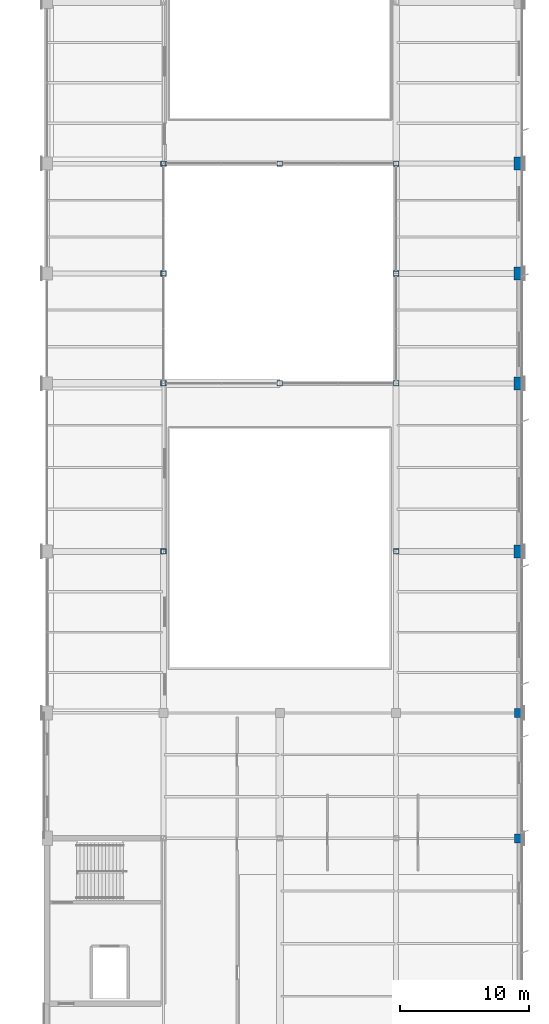
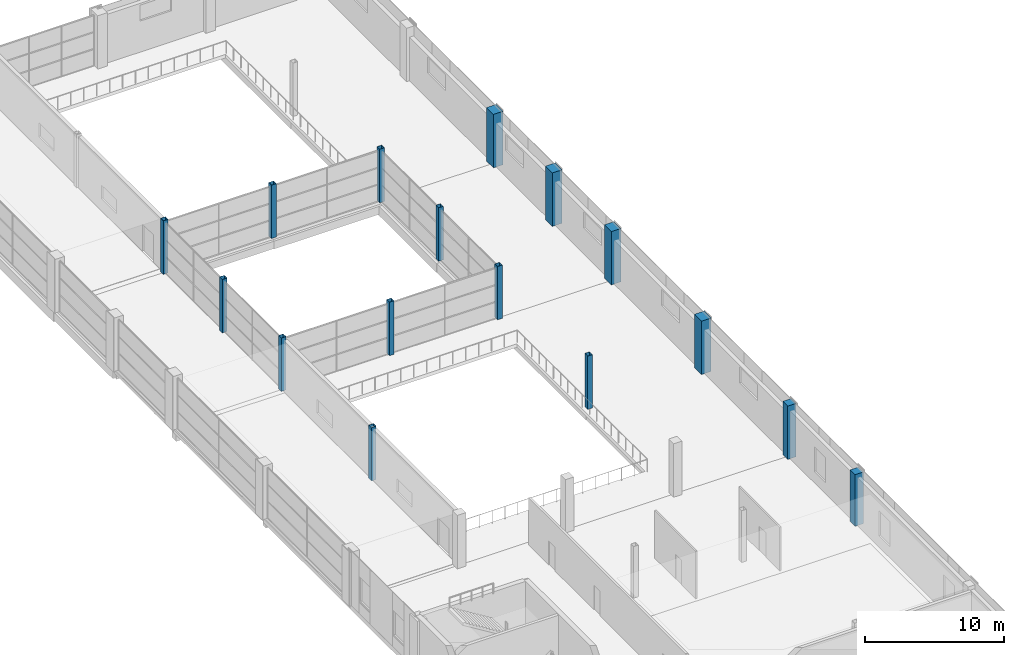
# One storey, part 8 of 112: 16 columns.
"""IFC4 building model written with IfcOpenShell, lengths in metres."""

from ifc_helpers import new_model, si_unit, direction, frame, origin, origin_2d, place, context, subcontext, project, spatial, rectangle, hollow_rectangle, extrude, material, material_profile, profile_set, type_object, element, save


model = new_model("IFC4")

# Units and contexts
model_context = context("Model", 3, precision=1e-05, world=origin(), true_north=direction((0.0, 1.0)))
body_context = subcontext(model_context, "Body", "Model", "MODEL_VIEW")
ifc_project = project(units=[si_unit("LENGTHUNIT", "METRE"), si_unit("AREAUNIT", "SQUARE_METRE"), si_unit("VOLUMEUNIT", "CUBIC_METRE"), si_unit("PLANEANGLEUNIT", "RADIAN"), si_unit("MASSUNIT", "GRAM", prefix="KILO")], contexts=[model_context])

# Site, building, storey
site_placement = place(None, origin())
site = spatial("IfcSite", under=ifc_project, at=site_placement, CompositionType="ELEMENT")
building_placement = place(site_placement, origin())
building = spatial("IfcBuilding", under=site, at=building_placement, Name="Solvikara Media Centre", CompositionType="ELEMENT")
storey_placement = place(building_placement, frame((0.0, 0.0, 5.39990234375)))
storey = spatial("IfcBuildingStorey", under=building, at=storey_placement, Name="L01", CompositionType="ELEMENT", Elevation=5.39990234375)

# Columns
ifc_material_1 = material(Name="Concrete fc' 45 MPa (C45/55)", Category="concrete")
ifc_material_profile_1 = material_profile(ifc_material_1, rectangle(XDim=0.699951171875, YDim=0.699951171875, at=origin_2d()), Name="RC 700x700")
ifc_profile_set_1 = profile_set([ifc_material_profile_1], Name="Concrete fc' 45 MPa (C45/55)")
column_type_1 = type_object("IfcColumnType", Name="CL-15", PredefinedType="COLUMN", material=ifc_profile_set_1)
column_1_placement = place(storey_placement, frame((164.0, 36.800048828125, 0.0), z_axis=(0.0, 0.0, 1.0), x_axis=(1.0, 0.0, 0.0)))
element("IfcColumn", 1, at=column_1_placement, inside=storey, type_object=column_type_1, Name="C-L01-1640-0368", PredefinedType="COLUMN", context=body_context, shape_type="SweptSolid", body=[
    extrude(rectangle(XDim=0.699951171875, YDim=0.699951171875, at=origin_2d()), origin(), (0.0, 0.0, 1.0), 4.5400390625),
])
column_2_placement = place(storey_placement, frame((164.0, 46.5, 0.0), z_axis=(0.0, 0.0, 1.0), x_axis=(1.0, 0.0, 0.0)))
element("IfcColumn", 2, at=column_2_placement, inside=storey, type_object=column_type_1, Name="C-L01-1640-0465", PredefinedType="COLUMN", context=body_context, shape_type="SweptSolid", body=[
    extrude(rectangle(XDim=0.699951171875, YDim=0.699951171875, at=origin_2d()), origin(), (0.0, 0.0, 1.0), 4.7001953125),
])
ifc_material_profile_2 = material_profile(ifc_material_1, rectangle(XDim=0.800048828125, YDim=1.0, at=origin_2d()), Name="RC 800x1000")
ifc_profile_set_2 = profile_set([ifc_material_profile_2], Name="Concrete fc' 45 MPa (C45/55)")
column_type_2 = type_object("IfcColumnType", Name="CL-16", PredefinedType="COLUMN", material=ifc_profile_set_2)
for number, where, z_axis, x_axis, name in (
    (3, (164.0, 59.0, 0.0), (0.0, 0.0, 1.0), (1.0, 0.0, 0.0), "C-L01-1640-0590"),
    (4, (164.0, 72.0, 0.0), (0.0, 0.0, 1.0), (1.0, 0.0, 0.0), "C-L01-1640-0720"),
    (5, (164.0, 80.5, 0.0), (0.0, 0.0, 1.0), (1.0, 0.0, 0.0), "C-L01-1640-0805"),
    (6, (164.0, 89.0, 0.0), (0.0, 0.0, 1.0), (1.0, 0.0, 0.0), "C-L01-1640-0890"),
):
    element("IfcColumn", number, at=place(storey_placement, frame(where, z_axis=z_axis, x_axis=x_axis)), inside=storey, type_object=column_type_2, Name=name, PredefinedType="COLUMN", context=body_context, shape_type="SweptSolid", body=[
        extrude(rectangle(XDim=0.800048828125, YDim=1.0, at=origin_2d()), origin(), (0.0, 0.0, 1.0), 4.7001953125),
    ])
ifc_material_2 = material(Name="Steel S355JR", Category="steel")
ifc_material_profile_3 = material_profile(ifc_material_2, hollow_rectangle(XDim=0.39990234375, YDim=0.39990234375, WallThickness=0.01611328125, at=origin_2d()), Name="RHS 400x400x16")
ifc_profile_set_3 = profile_set([ifc_material_profile_3], Name="Steel S355JR")
column_type_3 = type_object("IfcColumnType", Name="CL-27", PredefinedType="COLUMN", material=ifc_profile_set_3)
for number, where, z_axis, x_axis, name in (
    (7, (136.5, 59.0, 0.0), (0.0, 0.0, 1.0), (1.0, 0.0, 0.0), "C-L01-1365-0590"),
    (8, (136.5, 72.0, 0.0), (0.0, 0.0, 1.0), (1.0, 0.0, 0.0), "C-L01-1365-0720"),
    (9, (136.5, 80.5, 0.0), (0.0, 0.0, 1.0), (1.0, 0.0, 0.0), "C-L01-1365-0805"),
    (10, (136.5, 89.0, 0.0), (0.0, 0.0, 1.0), (1.0, 0.0, 0.0), "C-L01-1365-0890"),
    (11, (145.5, 72.0, 0.0), (0.0, 0.0, 1.0), (1.0, 0.0, 0.0), "C-L01-1455-0720"),
    (12, (145.5, 89.0, 0.0), (0.0, 0.0, 1.0), (1.0, 0.0, 0.0), "C-L01-1455-0890"),
    (13, (154.5, 59.0, 0.0), (0.0, 0.0, 1.0), (1.0, 0.0, 0.0), "C-L01-1545-0590"),
    (14, (154.5, 72.0, 0.0), (0.0, 0.0, 1.0), (1.0, 0.0, 0.0), "C-L01-1545-0720"),
    (15, (154.5, 80.5, 0.0), (0.0, 0.0, 1.0), (1.0, 0.0, 0.0), "C-L01-1545-0805"),
    (16, (154.5, 89.0, 0.0), (0.0, 0.0, 1.0), (1.0, 0.0, 0.0), "C-L01-1545-0890"),
):
    element("IfcColumn", number, at=place(storey_placement, frame(where, z_axis=z_axis, x_axis=x_axis)), inside=storey, type_object=column_type_3, Name=name, PredefinedType="COLUMN", context=body_context, shape_type="SweptSolid", body=[
        extrude(hollow_rectangle(XDim=0.39990234375, YDim=0.39990234375, WallThickness=0.01611328125, at=origin_2d()), origin(), (0.0, 0.0, 1.0), 4.7001953125),
    ])

save(model, "model.ifc")
